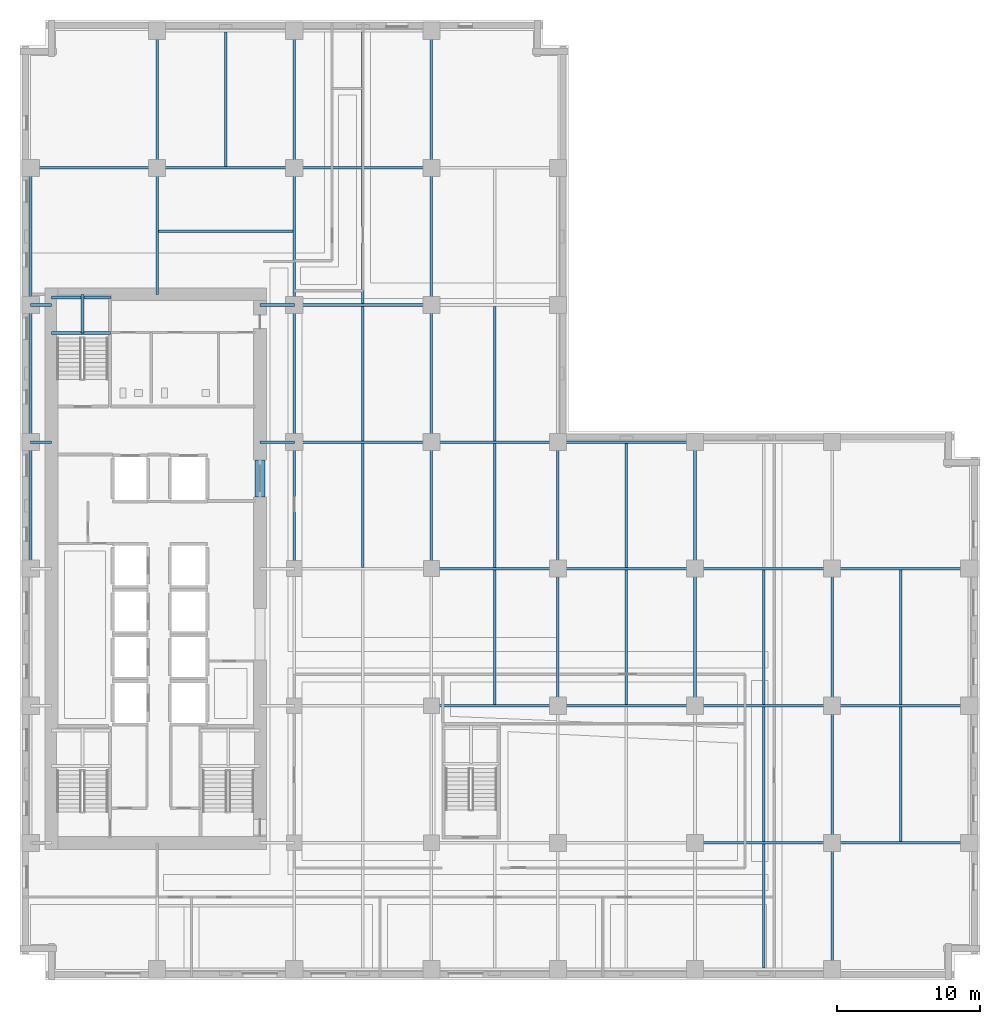
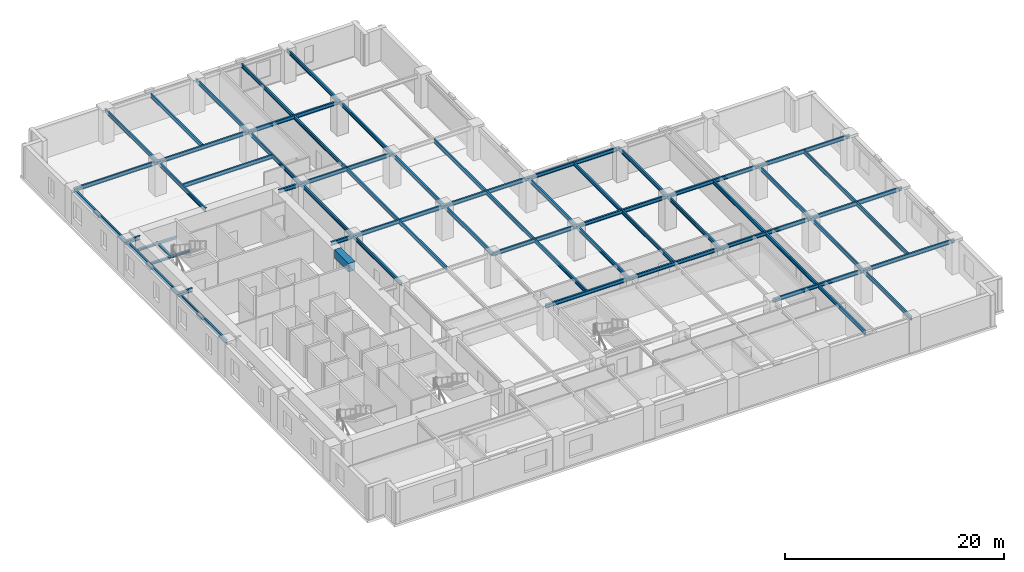
# One storey, part 2 of 13: 61 beams.
"""IFC4 building model written with IfcOpenShell, lengths in metres."""

from ifc_helpers import new_model, si_unit, direction, frame, origin, origin_2d, place, context, subcontext, project, spatial, rectangle, i_section, extrude, material, material_profile, profile_set, type_object, element, save


model = new_model("IFC4")

# Units and contexts
model_context = context("Model", 3, precision=1e-05, world=origin(), true_north=direction((0.0, 1.0)))
body_context = subcontext(model_context, "Body", "Model", "MODEL_VIEW")
ifc_project = project(units=[si_unit("LENGTHUNIT", "METRE"), si_unit("AREAUNIT", "SQUARE_METRE"), si_unit("VOLUMEUNIT", "CUBIC_METRE"), si_unit("PLANEANGLEUNIT", "RADIAN"), si_unit("MASSUNIT", "GRAM", prefix="KILO")], contexts=[model_context])

# Site, building, storey
site_placement = place(None, origin())
site = spatial("IfcSite", under=ifc_project, at=site_placement, CompositionType="ELEMENT")
building_placement = place(site_placement, origin())
building = spatial("IfcBuilding", under=site, at=building_placement, Name="Norrvale University Quadrangle", CompositionType="ELEMENT")
storey_placement = place(building_placement, frame((0.0, 0.0, 39.39990234375)))
storey = spatial("IfcBuildingStorey", under=building, at=storey_placement, Name="L09", CompositionType="ELEMENT", Elevation=39.39990234375)

# Beams
ifc_material_1 = material(Name="Steel 350W", Category="steel")
ifc_material_profile_1 = material_profile(ifc_material_1, i_section(OverallWidth=0.180908203125, OverallDepth=0.4169921875, WebThickness=0.010986328125, FlangeThickness=0.018310546875, FilletRadius=0.011962890625, at=origin_2d()), Name="Steel 350W")
ifc_profile_set_1 = profile_set([ifc_material_profile_1], Name="Steel 350W")
beam_type_1 = type_object("IfcBeamType", Name="Beam Atrium W410x85", PredefinedType="BEAM", material=ifc_profile_set_1)
beam_1_placement = place(storey_placement, frame((47.25, 9.60009765625, 3.33154296875), z_axis=(1.0, 0.0, 0.0), x_axis=(0.0, 1.0, 0.0)))
element("IfcBeam", 1, at=beam_1_placement, inside=storey, type_object=beam_type_1, Name="Beam Atrium W410x85 BM-L09-GX009", PredefinedType="BEAM", context=body_context, shape_type="SweptSolid", body=[
    extrude(i_section(OverallWidth=0.180908203125, OverallDepth=0.4169921875, WebThickness=0.010986328125, FlangeThickness=0.018310546875, FilletRadius=0.011962890625, at=origin_2d()), origin(), (0.0, 0.0, 1.0), 9.60009765625),
])
beam_2_placement = place(storey_placement, frame((56.85009765625, 9.60009765625, 3.33154296875), z_axis=(1.0, 0.0, 0.0), x_axis=(0.0, 1.0, 0.0)))
element("IfcBeam", 2, at=beam_2_placement, inside=storey, type_object=beam_type_1, Name="Beam Atrium W410x85 BM-L09-GX010", PredefinedType="BEAM", context=body_context, shape_type="SweptSolid", body=[
    extrude(i_section(OverallWidth=0.180908203125, OverallDepth=0.4169921875, WebThickness=0.010986328125, FlangeThickness=0.018310546875, FilletRadius=0.011962890625, at=origin_2d()), origin(), (0.0, 0.0, 1.0), 9.599853515625),
])
beam_3_placement = place(storey_placement, frame((28.800048828125, 19.199951171875, 3.33154296875), z_axis=(1.0, 0.0, 0.0), x_axis=(0.0, 1.0, 0.0)))
element("IfcBeam", 3, at=beam_3_placement, inside=storey, type_object=beam_type_1, Name="Beam Atrium W410x85 BM-L09-GX012", PredefinedType="BEAM", context=body_context, shape_type="SweptSolid", body=[
    extrude(i_section(OverallWidth=0.180908203125, OverallDepth=0.4169921875, WebThickness=0.010986328125, FlangeThickness=0.018310546875, FilletRadius=0.011962890625, at=origin_2d()), origin(), (0.0, 0.0, 1.0), 8.849853515625),
])
for number, where, z_axis, x_axis, name in (
    (4, (37.64990234375, 19.199951171875, 3.33154296875), (1.0, 0.0, 0.0), (0.0, 1.0, 0.0), "Beam Atrium W410x85 BM-L09-GX013"),
    (5, (47.25, 19.199951171875, 3.33154296875), (1.0, 0.0, 0.0), (0.0, 1.0, 0.0), "Beam Atrium W410x85 BM-L09-GX014"),
):
    element("IfcBeam", number, at=place(storey_placement, frame(where, z_axis=z_axis, x_axis=x_axis)), inside=storey, type_object=beam_type_1, Name=name, PredefinedType="BEAM", context=body_context, shape_type="SweptSolid", body=[
        extrude(i_section(OverallWidth=0.180908203125, OverallDepth=0.4169921875, WebThickness=0.010986328125, FlangeThickness=0.018310546875, FilletRadius=0.011962890625, at=origin_2d()), origin(), (0.0, 0.0, 1.0), 9.60009765625),
    ])
beam_4_placement = place(storey_placement, frame((56.85009765625, 19.199951171875, 3.33154296875), z_axis=(1.0, 0.0, 0.0), x_axis=(0.0, 1.0, 0.0)))
element("IfcBeam", 6, at=beam_4_placement, inside=storey, type_object=beam_type_1, Name="Beam Atrium W410x85 BM-L09-GX015", PredefinedType="BEAM", context=body_context, shape_type="SweptSolid", body=[
    extrude(i_section(OverallWidth=0.180908203125, OverallDepth=0.4169921875, WebThickness=0.010986328125, FlangeThickness=0.018310546875, FilletRadius=0.011962890625, at=origin_2d()), origin(), (0.0, 0.0, 1.0), 9.599853515625),
])
beam_5_placement = place(storey_placement, frame((28.800048828125, 28.800048828125, 3.33154296875), z_axis=(1.0, 0.0, 0.0), x_axis=(0.0, 1.0, 0.0)))
element("IfcBeam", 7, at=beam_5_placement, inside=storey, type_object=beam_type_1, Name="Beam Atrium W410x85 BM-L09-GX017", PredefinedType="BEAM", context=body_context, shape_type="SweptSolid", body=[
    extrude(i_section(OverallWidth=0.180908203125, OverallDepth=0.4169921875, WebThickness=0.010986328125, FlangeThickness=0.018310546875, FilletRadius=0.011962890625, at=origin_2d()), origin(), (0.0, 0.0, 1.0), 8.849853515625),
])
for number, where, z_axis, x_axis, name in (
    (8, (37.64990234375, 28.800048828125, 3.33154296875), (1.0, 0.0, 0.0), (0.0, 1.0, 0.0), "Beam Atrium W410x85 BM-L09-GX018"),
    (9, (47.25, 28.800048828125, 3.33154296875), (1.0, 0.0, 0.0), (0.0, 1.0, 0.0), "Beam Atrium W410x85 BM-L09-GX019"),
):
    element("IfcBeam", number, at=place(storey_placement, frame(where, z_axis=z_axis, x_axis=x_axis)), inside=storey, type_object=beam_type_1, Name=name, PredefinedType="BEAM", context=body_context, shape_type="SweptSolid", body=[
        extrude(i_section(OverallWidth=0.180908203125, OverallDepth=0.4169921875, WebThickness=0.010986328125, FlangeThickness=0.018310546875, FilletRadius=0.011962890625, at=origin_2d()), origin(), (0.0, 0.0, 1.0), 9.60009765625),
    ])
beam_6_placement = place(storey_placement, frame((56.85009765625, 28.800048828125, 3.33154296875), z_axis=(1.0, 0.0, 0.0), x_axis=(0.0, 1.0, 0.0)))
element("IfcBeam", 10, at=beam_6_placement, inside=storey, type_object=beam_type_1, Name="Beam Atrium W410x85 BM-L09-GX020", PredefinedType="BEAM", context=body_context, shape_type="SweptSolid", body=[
    extrude(i_section(OverallWidth=0.180908203125, OverallDepth=0.4169921875, WebThickness=0.010986328125, FlangeThickness=0.018310546875, FilletRadius=0.011962890625, at=origin_2d()), origin(), (0.0, 0.0, 1.0), 9.599853515625),
])
beam_7_placement = place(storey_placement, frame((19.199951171875, 37.64990234375, 3.33154296875), z_axis=(1.0, 0.0, 0.0), x_axis=(0.0, 1.0, 0.0)))
element("IfcBeam", 11, at=beam_7_placement, inside=storey, type_object=beam_type_1, Name="Beam Atrium W410x85 BM-L09-GX021", PredefinedType="BEAM", context=body_context, shape_type="SweptSolid", body=[
    extrude(i_section(OverallWidth=0.180908203125, OverallDepth=0.4169921875, WebThickness=0.010986328125, FlangeThickness=0.018310546875, FilletRadius=0.011962890625, at=origin_2d()), origin(), (0.0, 0.0, 1.0), 9.60009765625),
])
beam_8_placement = place(storey_placement, frame((28.800048828125, 37.64990234375, 3.33154296875), z_axis=(1.0, 0.0, 0.0), x_axis=(0.0, 1.0, 0.0)))
element("IfcBeam", 12, at=beam_8_placement, inside=storey, type_object=beam_type_1, Name="Beam Atrium W410x85 BM-L09-GX022", PredefinedType="BEAM", context=body_context, shape_type="SweptSolid", body=[
    extrude(i_section(OverallWidth=0.180908203125, OverallDepth=0.4169921875, WebThickness=0.010986328125, FlangeThickness=0.018310546875, FilletRadius=0.011962890625, at=origin_2d()), origin(), (0.0, 0.0, 1.0), 8.849853515625),
])
for number, where, z_axis, x_axis, name in (
    (13, (37.64990234375, 37.64990234375, 3.33154296875), (1.0, 0.0, 0.0), (0.0, 1.0, 0.0), "Beam Atrium W410x85 BM-L09-GX023"),
    (14, (19.199951171875, 47.25, 3.33154296875), (1.0, 0.0, 0.0), (0.0, 1.0, 0.0), "Beam Atrium W410x85 BM-L09-GX025"),
):
    element("IfcBeam", number, at=place(storey_placement, frame(where, z_axis=z_axis, x_axis=x_axis)), inside=storey, type_object=beam_type_1, Name=name, PredefinedType="BEAM", context=body_context, shape_type="SweptSolid", body=[
        extrude(i_section(OverallWidth=0.180908203125, OverallDepth=0.4169921875, WebThickness=0.010986328125, FlangeThickness=0.018310546875, FilletRadius=0.011962890625, at=origin_2d()), origin(), (0.0, 0.0, 1.0), 9.60009765625),
    ])
beam_9_placement = place(storey_placement, frame((0.75, 56.85009765625, 3.33154296875), z_axis=(1.0, 0.0, 0.0), x_axis=(0.0, 1.0, 0.0)))
element("IfcBeam", 15, at=beam_9_placement, inside=storey, type_object=beam_type_1, Name="Beam Atrium W410x85 BM-L09-GX027", PredefinedType="BEAM", context=body_context, shape_type="SweptSolid", body=[
    extrude(i_section(OverallWidth=0.180908203125, OverallDepth=0.4169921875, WebThickness=0.010986328125, FlangeThickness=0.018310546875, FilletRadius=0.011962890625, at=origin_2d()), origin(), (0.0, 0.0, 1.0), 8.85009765625),
])
beam_10_placement = place(storey_placement, frame((9.60009765625, 56.85009765625, 3.33154296875), z_axis=(1.0, 0.0, 0.0), x_axis=(0.0, 1.0, 0.0)))
element("IfcBeam", 16, at=beam_10_placement, inside=storey, type_object=beam_type_1, Name="Beam Atrium W410x85 BM-L09-GX028", PredefinedType="BEAM", context=body_context, shape_type="SweptSolid", body=[
    extrude(i_section(OverallWidth=0.180908203125, OverallDepth=0.4169921875, WebThickness=0.010986328125, FlangeThickness=0.018310546875, FilletRadius=0.011962890625, at=origin_2d()), origin(), (0.0, 0.0, 1.0), 9.599853515625),
])
beam_11_placement = place(storey_placement, frame((19.199951171875, 56.85009765625, 3.33154296875), z_axis=(1.0, 0.0, 0.0), x_axis=(0.0, 1.0, 0.0)))
element("IfcBeam", 17, at=beam_11_placement, inside=storey, type_object=beam_type_1, Name="Beam Atrium W410x85 BM-L09-GX029", PredefinedType="BEAM", context=body_context, shape_type="SweptSolid", body=[
    extrude(i_section(OverallWidth=0.180908203125, OverallDepth=0.4169921875, WebThickness=0.010986328125, FlangeThickness=0.018310546875, FilletRadius=0.011962890625, at=origin_2d()), origin(), (0.0, 0.0, 1.0), 9.60009765625),
])
beam_12_placement = place(storey_placement, frame((0.75, 28.800048828125, 3.33154296875), z_axis=(0.0, 1.0, 0.0), x_axis=(-1.0, 0.0, 0.0)))
element("IfcBeam", 18, at=beam_12_placement, inside=storey, type_object=beam_type_1, Name="Beam Atrium W410x85 BM-L09-GY035", PredefinedType="BEAM", context=body_context, shape_type="SweptSolid", body=[
    extrude(i_section(OverallWidth=0.180908203125, OverallDepth=0.4169921875, WebThickness=0.010986328125, FlangeThickness=0.018310546875, FilletRadius=0.011962890625, at=origin_2d()), origin(), (0.0, 0.0, 1.0), 8.849853515625),
])
for number, where, z_axis, x_axis, name in (
    (19, (0.75, 37.64990234375, 3.33154296875), (0.0, 1.0, 0.0), (-1.0, 0.0, 0.0), "Beam Atrium W410x85 BM-L09-GY036"),
    (20, (0.75, 47.25, 3.33154296875), (0.0, 1.0, 0.0), (-1.0, 0.0, 0.0), "Beam Atrium W410x85 BM-L09-GY037"),
):
    element("IfcBeam", number, at=place(storey_placement, frame(where, z_axis=z_axis, x_axis=x_axis)), inside=storey, type_object=beam_type_1, Name=name, PredefinedType="BEAM", context=body_context, shape_type="SweptSolid", body=[
        extrude(i_section(OverallWidth=0.180908203125, OverallDepth=0.4169921875, WebThickness=0.010986328125, FlangeThickness=0.018310546875, FilletRadius=0.011962890625, at=origin_2d()), origin(), (0.0, 0.0, 1.0), 9.60009765625),
    ])
beam_13_placement = place(storey_placement, frame((9.60009765625, 56.85009765625, 3.33154296875), z_axis=(0.0, 1.0, 0.0), x_axis=(-1.0, 0.0, 0.0)))
element("IfcBeam", 21, at=beam_13_placement, inside=storey, type_object=beam_type_1, Name="Beam Atrium W410x85 BM-L09-GY038", PredefinedType="BEAM", context=body_context, shape_type="SweptSolid", body=[
    extrude(i_section(OverallWidth=0.180908203125, OverallDepth=0.4169921875, WebThickness=0.010986328125, FlangeThickness=0.018310546875, FilletRadius=0.011962890625, at=origin_2d()), origin(), (0.0, 0.0, 1.0), 9.599853515625),
])
beam_14_placement = place(storey_placement, frame((19.199951171875, 28.800048828125, 3.33154296875), z_axis=(0.0, 1.0, 0.0), x_axis=(-1.0, 0.0, 0.0)))
element("IfcBeam", 22, at=beam_14_placement, inside=storey, type_object=beam_type_1, Name="Beam Atrium W410x85 BM-L09-GY042", PredefinedType="BEAM", context=body_context, shape_type="SweptSolid", body=[
    extrude(i_section(OverallWidth=0.180908203125, OverallDepth=0.4169921875, WebThickness=0.010986328125, FlangeThickness=0.018310546875, FilletRadius=0.011962890625, at=origin_2d()), origin(), (0.0, 0.0, 1.0), 8.849853515625),
])
for number, where, z_axis, x_axis, name in (
    (23, (19.199951171875, 37.64990234375, 3.33154296875), (0.0, 1.0, 0.0), (-1.0, 0.0, 0.0), "Beam Atrium W410x85 BM-L09-GY043"),
    (24, (19.199951171875, 47.25, 3.33154296875), (0.0, 1.0, 0.0), (-1.0, 0.0, 0.0), "Beam Atrium W410x85 BM-L09-GY044"),
):
    element("IfcBeam", number, at=place(storey_placement, frame(where, z_axis=z_axis, x_axis=x_axis)), inside=storey, type_object=beam_type_1, Name=name, PredefinedType="BEAM", context=body_context, shape_type="SweptSolid", body=[
        extrude(i_section(OverallWidth=0.180908203125, OverallDepth=0.4169921875, WebThickness=0.010986328125, FlangeThickness=0.018310546875, FilletRadius=0.011962890625, at=origin_2d()), origin(), (0.0, 0.0, 1.0), 9.60009765625),
    ])
beam_15_placement = place(storey_placement, frame((19.199951171875, 56.85009765625, 3.33154296875), z_axis=(0.0, 1.0, 0.0), x_axis=(-1.0, 0.0, 0.0)))
element("IfcBeam", 25, at=beam_15_placement, inside=storey, type_object=beam_type_1, Name="Beam Atrium W410x85 BM-L09-GY045", PredefinedType="BEAM", context=body_context, shape_type="SweptSolid", body=[
    extrude(i_section(OverallWidth=0.180908203125, OverallDepth=0.4169921875, WebThickness=0.010986328125, FlangeThickness=0.018310546875, FilletRadius=0.011962890625, at=origin_2d()), origin(), (0.0, 0.0, 1.0), 9.599853515625),
])
beam_16_placement = place(storey_placement, frame((28.800048828125, 28.800048828125, 3.33154296875), z_axis=(0.0, 1.0, 0.0), x_axis=(-1.0, 0.0, 0.0)))
element("IfcBeam", 26, at=beam_16_placement, inside=storey, type_object=beam_type_1, Name="Beam Atrium W410x85 BM-L09-GY049", PredefinedType="BEAM", context=body_context, shape_type="SweptSolid", body=[
    extrude(i_section(OverallWidth=0.180908203125, OverallDepth=0.4169921875, WebThickness=0.010986328125, FlangeThickness=0.018310546875, FilletRadius=0.011962890625, at=origin_2d()), origin(), (0.0, 0.0, 1.0), 8.849853515625),
])
for number, where, z_axis, x_axis, name in (
    (27, (28.800048828125, 37.64990234375, 3.33154296875), (0.0, 1.0, 0.0), (-1.0, 0.0, 0.0), "Beam Atrium W410x85 BM-L09-GY050"),
    (28, (28.800048828125, 47.25, 3.33154296875), (0.0, 1.0, 0.0), (-1.0, 0.0, 0.0), "Beam Atrium W410x85 BM-L09-GY051"),
):
    element("IfcBeam", number, at=place(storey_placement, frame(where, z_axis=z_axis, x_axis=x_axis)), inside=storey, type_object=beam_type_1, Name=name, PredefinedType="BEAM", context=body_context, shape_type="SweptSolid", body=[
        extrude(i_section(OverallWidth=0.180908203125, OverallDepth=0.4169921875, WebThickness=0.010986328125, FlangeThickness=0.018310546875, FilletRadius=0.011962890625, at=origin_2d()), origin(), (0.0, 0.0, 1.0), 9.60009765625),
    ])
beam_17_placement = place(storey_placement, frame((28.800048828125, 56.85009765625, 3.33154296875), z_axis=(0.0, 1.0, 0.0), x_axis=(-1.0, 0.0, 0.0)))
element("IfcBeam", 29, at=beam_17_placement, inside=storey, type_object=beam_type_1, Name="Beam Atrium W410x85 BM-L09-GY052", PredefinedType="BEAM", context=body_context, shape_type="SweptSolid", body=[
    extrude(i_section(OverallWidth=0.180908203125, OverallDepth=0.4169921875, WebThickness=0.010986328125, FlangeThickness=0.018310546875, FilletRadius=0.011962890625, at=origin_2d()), origin(), (0.0, 0.0, 1.0), 9.599853515625),
])
beam_18_placement = place(storey_placement, frame((37.64990234375, 19.199951171875, 3.33154296875), z_axis=(0.0, 1.0, 0.0), x_axis=(-1.0, 0.0, 0.0)))
element("IfcBeam", 30, at=beam_18_placement, inside=storey, type_object=beam_type_1, Name="Beam Atrium W410x85 BM-L09-GY055", PredefinedType="BEAM", context=body_context, shape_type="SweptSolid", body=[
    extrude(i_section(OverallWidth=0.180908203125, OverallDepth=0.4169921875, WebThickness=0.010986328125, FlangeThickness=0.018310546875, FilletRadius=0.011962890625, at=origin_2d()), origin(), (0.0, 0.0, 1.0), 9.60009765625),
])
beam_19_placement = place(storey_placement, frame((37.64990234375, 28.800048828125, 3.33154296875), z_axis=(0.0, 1.0, 0.0), x_axis=(-1.0, 0.0, 0.0)))
element("IfcBeam", 31, at=beam_19_placement, inside=storey, type_object=beam_type_1, Name="Beam Atrium W410x85 BM-L09-GY056", PredefinedType="BEAM", context=body_context, shape_type="SweptSolid", body=[
    extrude(i_section(OverallWidth=0.180908203125, OverallDepth=0.4169921875, WebThickness=0.010986328125, FlangeThickness=0.018310546875, FilletRadius=0.011962890625, at=origin_2d()), origin(), (0.0, 0.0, 1.0), 8.849853515625),
])
beam_20_placement = place(storey_placement, frame((47.25, 19.199951171875, 3.33154296875), z_axis=(0.0, 1.0, 0.0), x_axis=(-1.0, 0.0, 0.0)))
element("IfcBeam", 32, at=beam_20_placement, inside=storey, type_object=beam_type_1, Name="Beam Atrium W410x85 BM-L09-GY061", PredefinedType="BEAM", context=body_context, shape_type="SweptSolid", body=[
    extrude(i_section(OverallWidth=0.180908203125, OverallDepth=0.4169921875, WebThickness=0.010986328125, FlangeThickness=0.018310546875, FilletRadius=0.011962890625, at=origin_2d()), origin(), (0.0, 0.0, 1.0), 9.60009765625),
])
beam_21_placement = place(storey_placement, frame((47.25, 28.800048828125, 3.33154296875), z_axis=(0.0, 1.0, 0.0), x_axis=(-1.0, 0.0, 0.0)))
element("IfcBeam", 33, at=beam_21_placement, inside=storey, type_object=beam_type_1, Name="Beam Atrium W410x85 BM-L09-GY062", PredefinedType="BEAM", context=body_context, shape_type="SweptSolid", body=[
    extrude(i_section(OverallWidth=0.180908203125, OverallDepth=0.4169921875, WebThickness=0.010986328125, FlangeThickness=0.018310546875, FilletRadius=0.011962890625, at=origin_2d()), origin(), (0.0, 0.0, 1.0), 8.849853515625),
])
beam_22_placement = place(storey_placement, frame((56.85009765625, 0.75, 3.33154296875), z_axis=(0.0, 1.0, 0.0), x_axis=(-1.0, 0.0, 0.0)))
element("IfcBeam", 34, at=beam_22_placement, inside=storey, type_object=beam_type_1, Name="Beam Atrium W410x85 BM-L09-GY063", PredefinedType="BEAM", context=body_context, shape_type="SweptSolid", body=[
    extrude(i_section(OverallWidth=0.180908203125, OverallDepth=0.4169921875, WebThickness=0.010986328125, FlangeThickness=0.018310546875, FilletRadius=0.011962890625, at=origin_2d()), origin(), (0.0, 0.0, 1.0), 8.85009765625),
])
beam_23_placement = place(storey_placement, frame((56.85009765625, 9.60009765625, 3.33154296875), z_axis=(0.0, 1.0, 0.0), x_axis=(-1.0, 0.0, 0.0)))
element("IfcBeam", 35, at=beam_23_placement, inside=storey, type_object=beam_type_1, Name="Beam Atrium W410x85 BM-L09-GY064", PredefinedType="BEAM", context=body_context, shape_type="SweptSolid", body=[
    extrude(i_section(OverallWidth=0.180908203125, OverallDepth=0.4169921875, WebThickness=0.010986328125, FlangeThickness=0.018310546875, FilletRadius=0.011962890625, at=origin_2d()), origin(), (0.0, 0.0, 1.0), 9.599853515625),
])
beam_24_placement = place(storey_placement, frame((56.85009765625, 19.199951171875, 3.33154296875), z_axis=(0.0, 1.0, 0.0), x_axis=(-1.0, 0.0, 0.0)))
element("IfcBeam", 36, at=beam_24_placement, inside=storey, type_object=beam_type_1, Name="Beam Atrium W410x85 BM-L09-GY065", PredefinedType="BEAM", context=body_context, shape_type="SweptSolid", body=[
    extrude(i_section(OverallWidth=0.180908203125, OverallDepth=0.4169921875, WebThickness=0.010986328125, FlangeThickness=0.018310546875, FilletRadius=0.011962890625, at=origin_2d()), origin(), (0.0, 0.0, 1.0), 9.60009765625),
])
beam_25_placement = place(storey_placement, frame((0.75, 37.64990234375, 3.33154296875), z_axis=(1.0, 0.0, 0.0), x_axis=(0.0, 1.0, 0.0)))
element("IfcBeam", 37, at=beam_25_placement, inside=storey, type_object=beam_type_1, Name="Beam Atrium W410x85 BM-L09-GCW075", PredefinedType="BEAM", context=body_context, shape_type="SweptSolid", body=[
    extrude(i_section(OverallWidth=0.180908203125, OverallDepth=0.4169921875, WebThickness=0.010986328125, FlangeThickness=0.018310546875, FilletRadius=0.011962890625, at=origin_2d()), origin(), (0.0, 0.0, 1.0), 1.449951171875),
])
beam_26_placement = place(storey_placement, frame((16.800048828125, 37.64990234375, 3.33154296875), z_axis=(1.0, 0.0, 0.0), x_axis=(0.0, 1.0, 0.0)))
element("IfcBeam", 38, at=beam_26_placement, inside=storey, type_object=beam_type_1, Name="Beam Atrium W410x85 BM-L09-GCE076", PredefinedType="BEAM", context=body_context, shape_type="SweptSolid", body=[
    extrude(i_section(OverallWidth=0.180908203125, OverallDepth=0.4169921875, WebThickness=0.010986328125, FlangeThickness=0.018310546875, FilletRadius=0.011962890625, at=origin_2d()), origin(), (0.0, 0.0, 1.0), 2.39990234375),
])
beam_27_placement = place(storey_placement, frame((0.75, 47.25, 3.33154296875), z_axis=(1.0, 0.0, 0.0), x_axis=(0.0, 1.0, 0.0)))
element("IfcBeam", 39, at=beam_27_placement, inside=storey, type_object=beam_type_1, Name="Beam Atrium W410x85 BM-L09-GCW077", PredefinedType="BEAM", context=body_context, shape_type="SweptSolid", body=[
    extrude(i_section(OverallWidth=0.180908203125, OverallDepth=0.4169921875, WebThickness=0.010986328125, FlangeThickness=0.018310546875, FilletRadius=0.011962890625, at=origin_2d()), origin(), (0.0, 0.0, 1.0), 1.449951171875),
])
beam_28_placement = place(storey_placement, frame((16.800048828125, 47.25, 3.33154296875), z_axis=(1.0, 0.0, 0.0), x_axis=(0.0, 1.0, 0.0)))
element("IfcBeam", 40, at=beam_28_placement, inside=storey, type_object=beam_type_1, Name="Beam Atrium W410x85 BM-L09-GCE078", PredefinedType="BEAM", context=body_context, shape_type="SweptSolid", body=[
    extrude(i_section(OverallWidth=0.180908203125, OverallDepth=0.4169921875, WebThickness=0.010986328125, FlangeThickness=0.018310546875, FilletRadius=0.011962890625, at=origin_2d()), origin(), (0.0, 0.0, 1.0), 2.39990234375),
])
beam_29_placement = place(storey_placement, frame((9.60009765625, 48.0, 3.33154296875), z_axis=(0.0, 1.0, 0.0), x_axis=(-1.0, 0.0, 0.0)))
element("IfcBeam", 41, at=beam_29_placement, inside=storey, type_object=beam_type_1, Name="Beam Atrium W410x85 BM-L09-GCN104", PredefinedType="BEAM", context=body_context, shape_type="SweptSolid", body=[
    extrude(i_section(OverallWidth=0.180908203125, OverallDepth=0.4169921875, WebThickness=0.010986328125, FlangeThickness=0.018310546875, FilletRadius=0.011962890625, at=origin_2d()), origin(), (0.0, 0.0, 1.0), 8.85009765625),
])
ifc_material_2 = material(Name="Concrete C80/95", Category="concrete")
ifc_material_profile_2 = material_profile(ifc_material_2, rectangle(XDim=0.699951171875, YDim=0.949951171875, at=origin_2d()), Name="Concrete C80/95")
ifc_profile_set_2 = profile_set([ifc_material_profile_2], Name="Concrete C80/95")
beam_type_2 = type_object("IfcBeamType", Name="Beam Core Link 700x950", PredefinedType="LINTEL", material=ifc_profile_set_2)
beam_30_placement = place(storey_placement, frame((16.800048828125, 33.800048828125, 3.065185546875), z_axis=(0.0, 1.0, 0.0), x_axis=(-1.0, 0.0, 0.0)))
element("IfcBeam", 42, at=beam_30_placement, inside=storey, type_object=beam_type_2, Name="Core Coupling Lintel Beam L09-2", PredefinedType="LINTEL", context=body_context, shape_type="SweptSolid", body=[
    extrude(rectangle(XDim=0.699951171875, YDim=0.949951171875, at=origin_2d()), origin(), (0.0, 0.0, 1.0), 2.599853515625),
])
ifc_material_profile_3 = material_profile(ifc_material_1, i_section(OverallWidth=0.177978515625, OverallDepth=0.406982421875, WebThickness=0.0078125, FlangeThickness=0.0126953125, FilletRadius=0.011962890625, at=origin_2d()), Name="Steel 350W")
ifc_profile_set_3 = profile_set([ifc_material_profile_3], Name="Steel 350W")
beam_type_3 = type_object("IfcBeamType", Name="Beam Roof Purlin W410x60", PredefinedType="USERDEFINED", material=ifc_profile_set_3)
beam_31_placement = place(storey_placement, frame((14.39990234375, 56.9404296875, 3.336669921875), z_axis=(0.0, 1.0, 0.0), x_axis=(-1.0, 0.0, 0.0)))
element("IfcBeam", 43, at=beam_31_placement, inside=storey, type_object=beam_type_3, Name="Beam Roof Purlin W410x60 BM-L09-J079", ObjectType="PURLIN", PredefinedType="USERDEFINED", context=body_context, shape_type="SweptSolid", body=[
    extrude(i_section(OverallWidth=0.177978515625, OverallDepth=0.406982421875, WebThickness=0.0078125, FlangeThickness=0.0126953125, FilletRadius=0.011962890625, at=origin_2d()), origin(), (0.0, 0.0, 1.0), 9.419189453125),
])
beam_32_placement = place(storey_placement, frame((24.0, 28.890380859375, 3.336669921875), z_axis=(0.0, 1.0, 0.0), x_axis=(-1.0, 0.0, 0.0)))
element("IfcBeam", 44, at=beam_32_placement, inside=storey, type_object=beam_type_3, Name="Beam Roof Purlin W410x60 BM-L09-J083", ObjectType="PURLIN", PredefinedType="USERDEFINED", context=body_context, shape_type="SweptSolid", body=[
    extrude(i_section(OverallWidth=0.177978515625, OverallDepth=0.406982421875, WebThickness=0.0078125, FlangeThickness=0.0126953125, FilletRadius=0.011962890625, at=origin_2d()), origin(), (0.0, 0.0, 1.0), 8.669189453125),
])
for number, where, z_axis, x_axis, name in (
    (45, (24.0, 37.740478515625, 3.336669921875), (0.0, 1.0, 0.0), (-1.0, 0.0, 0.0), "Beam Roof Purlin W410x60 BM-L09-J084"),
    (46, (24.0, 47.340576171875, 3.336669921875), (0.0, 1.0, 0.0), (-1.0, 0.0, 0.0), "Beam Roof Purlin W410x60 BM-L09-J085"),
):
    element("IfcBeam", number, at=place(storey_placement, frame(where, z_axis=z_axis, x_axis=x_axis)), inside=storey, type_object=beam_type_3, Name=name, ObjectType="PURLIN", PredefinedType="USERDEFINED", context=body_context, shape_type="SweptSolid", body=[
        extrude(i_section(OverallWidth=0.177978515625, OverallDepth=0.406982421875, WebThickness=0.0078125, FlangeThickness=0.0126953125, FilletRadius=0.011962890625, at=origin_2d()), origin(), (0.0, 0.0, 1.0), 9.4189453125),
    ])
beam_33_placement = place(storey_placement, frame((24.0, 56.9404296875, 3.336669921875), z_axis=(0.0, 1.0, 0.0), x_axis=(-1.0, 0.0, 0.0)))
element("IfcBeam", 47, at=beam_33_placement, inside=storey, type_object=beam_type_3, Name="Beam Roof Purlin W410x60 BM-L09-J086", ObjectType="PURLIN", PredefinedType="USERDEFINED", context=body_context, shape_type="SweptSolid", body=[
    extrude(i_section(OverallWidth=0.177978515625, OverallDepth=0.406982421875, WebThickness=0.0078125, FlangeThickness=0.0126953125, FilletRadius=0.011962890625, at=origin_2d()), origin(), (0.0, 0.0, 1.0), 9.419189453125),
])
beam_34_placement = place(storey_placement, frame((33.22509765625, 19.29052734375, 3.336669921875), z_axis=(0.0, 1.0, 0.0), x_axis=(-1.0, 0.0, 0.0)))
element("IfcBeam", 48, at=beam_34_placement, inside=storey, type_object=beam_type_3, Name="Beam Roof Purlin W410x60 BM-L09-J088", ObjectType="PURLIN", PredefinedType="USERDEFINED", context=body_context, shape_type="SweptSolid", body=[
    extrude(i_section(OverallWidth=0.177978515625, OverallDepth=0.406982421875, WebThickness=0.0078125, FlangeThickness=0.0126953125, FilletRadius=0.011962890625, at=origin_2d()), origin(), (0.0, 0.0, 1.0), 9.4189453125),
])
beam_35_placement = place(storey_placement, frame((33.22509765625, 28.890380859375, 3.336669921875), z_axis=(0.0, 1.0, 0.0), x_axis=(-1.0, 0.0, 0.0)))
element("IfcBeam", 49, at=beam_35_placement, inside=storey, type_object=beam_type_3, Name="Beam Roof Purlin W410x60 BM-L09-J089", ObjectType="PURLIN", PredefinedType="USERDEFINED", context=body_context, shape_type="SweptSolid", body=[
    extrude(i_section(OverallWidth=0.177978515625, OverallDepth=0.406982421875, WebThickness=0.0078125, FlangeThickness=0.0126953125, FilletRadius=0.011962890625, at=origin_2d()), origin(), (0.0, 0.0, 1.0), 8.669189453125),
])
for number, where, z_axis, x_axis, name in (
    (50, (33.22509765625, 37.740478515625, 3.336669921875), (0.0, 1.0, 0.0), (-1.0, 0.0, 0.0), "Beam Roof Purlin W410x60 BM-L09-J090"),
    (51, (42.449951171875, 19.29052734375, 3.336669921875), (0.0, 1.0, 0.0), (-1.0, 0.0, 0.0), "Beam Roof Purlin W410x60 BM-L09-J094"),
):
    element("IfcBeam", number, at=place(storey_placement, frame(where, z_axis=z_axis, x_axis=x_axis)), inside=storey, type_object=beam_type_3, Name=name, ObjectType="PURLIN", PredefinedType="USERDEFINED", context=body_context, shape_type="SweptSolid", body=[
        extrude(i_section(OverallWidth=0.177978515625, OverallDepth=0.406982421875, WebThickness=0.0078125, FlangeThickness=0.0126953125, FilletRadius=0.011962890625, at=origin_2d()), origin(), (0.0, 0.0, 1.0), 9.4189453125),
    ])
beam_36_placement = place(storey_placement, frame((42.449951171875, 28.890380859375, 3.336669921875), z_axis=(0.0, 1.0, 0.0), x_axis=(-1.0, 0.0, 0.0)))
element("IfcBeam", 52, at=beam_36_placement, inside=storey, type_object=beam_type_3, Name="Beam Roof Purlin W410x60 BM-L09-J095", ObjectType="PURLIN", PredefinedType="USERDEFINED", context=body_context, shape_type="SweptSolid", body=[
    extrude(i_section(OverallWidth=0.177978515625, OverallDepth=0.406982421875, WebThickness=0.0078125, FlangeThickness=0.0126953125, FilletRadius=0.011962890625, at=origin_2d()), origin(), (0.0, 0.0, 1.0), 8.669189453125),
])
beam_37_placement = place(storey_placement, frame((52.050048828125, 0.840576171875, 3.336669921875), z_axis=(0.0, 1.0, 0.0), x_axis=(-1.0, 0.0, 0.0)))
element("IfcBeam", 53, at=beam_37_placement, inside=storey, type_object=beam_type_3, Name="Beam Roof Purlin W410x60 BM-L09-J096", ObjectType="PURLIN", PredefinedType="USERDEFINED", context=body_context, shape_type="SweptSolid", body=[
    extrude(i_section(OverallWidth=0.177978515625, OverallDepth=0.406982421875, WebThickness=0.0078125, FlangeThickness=0.0126953125, FilletRadius=0.011962890625, at=origin_2d()), origin(), (0.0, 0.0, 1.0), 8.6689453125),
])
beam_38_placement = place(storey_placement, frame((52.050048828125, 9.6904296875, 3.336669921875), z_axis=(0.0, 1.0, 0.0), x_axis=(-1.0, 0.0, 0.0)))
element("IfcBeam", 54, at=beam_38_placement, inside=storey, type_object=beam_type_3, Name="Beam Roof Purlin W410x60 BM-L09-J097", ObjectType="PURLIN", PredefinedType="USERDEFINED", context=body_context, shape_type="SweptSolid", body=[
    extrude(i_section(OverallWidth=0.177978515625, OverallDepth=0.406982421875, WebThickness=0.0078125, FlangeThickness=0.0126953125, FilletRadius=0.011962890625, at=origin_2d()), origin(), (0.0, 0.0, 1.0), 9.419189453125),
])
beam_39_placement = place(storey_placement, frame((52.050048828125, 19.29052734375, 3.336669921875), z_axis=(0.0, 1.0, 0.0), x_axis=(-1.0, 0.0, 0.0)))
element("IfcBeam", 55, at=beam_39_placement, inside=storey, type_object=beam_type_3, Name="Beam Roof Purlin W410x60 BM-L09-J098", ObjectType="PURLIN", PredefinedType="USERDEFINED", context=body_context, shape_type="SweptSolid", body=[
    extrude(i_section(OverallWidth=0.177978515625, OverallDepth=0.406982421875, WebThickness=0.0078125, FlangeThickness=0.0126953125, FilletRadius=0.011962890625, at=origin_2d()), origin(), (0.0, 0.0, 1.0), 9.4189453125),
])
beam_40_placement = place(storey_placement, frame((61.64990234375, 9.6904296875, 3.336669921875), z_axis=(0.0, 1.0, 0.0), x_axis=(-1.0, 0.0, 0.0)))
element("IfcBeam", 56, at=beam_40_placement, inside=storey, type_object=beam_type_3, Name="Beam Roof Purlin W410x60 BM-L09-J100", ObjectType="PURLIN", PredefinedType="USERDEFINED", context=body_context, shape_type="SweptSolid", body=[
    extrude(i_section(OverallWidth=0.177978515625, OverallDepth=0.406982421875, WebThickness=0.0078125, FlangeThickness=0.0126953125, FilletRadius=0.011962890625, at=origin_2d()), origin(), (0.0, 0.0, 1.0), 9.419189453125),
])
beam_41_placement = place(storey_placement, frame((61.64990234375, 19.29052734375, 3.336669921875), z_axis=(0.0, 1.0, 0.0), x_axis=(-1.0, 0.0, 0.0)))
element("IfcBeam", 57, at=beam_41_placement, inside=storey, type_object=beam_type_3, Name="Beam Roof Purlin W410x60 BM-L09-J101", ObjectType="PURLIN", PredefinedType="USERDEFINED", context=body_context, shape_type="SweptSolid", body=[
    extrude(i_section(OverallWidth=0.177978515625, OverallDepth=0.406982421875, WebThickness=0.0078125, FlangeThickness=0.0126953125, FilletRadius=0.011962890625, at=origin_2d()), origin(), (0.0, 0.0, 1.0), 9.4189453125),
])
beam_42_placement = place(storey_placement, frame((9.6904296875, 52.39990234375, 3.336669921875), z_axis=(1.0, 0.0, 0.0), x_axis=(0.0, 1.0, 0.0)))
element("IfcBeam", 58, at=beam_42_placement, inside=storey, type_object=beam_type_3, Name="Beam Roof Purlin W410x60 BM-L09-JCN105", ObjectType="PURLIN", PredefinedType="USERDEFINED", context=body_context, shape_type="SweptSolid", body=[
    extrude(i_section(OverallWidth=0.177978515625, OverallDepth=0.406982421875, WebThickness=0.0078125, FlangeThickness=0.0126953125, FilletRadius=0.011962890625, at=origin_2d()), origin(), (0.0, 0.0, 1.0), 9.419189453125),
])
ifc_material_profile_4 = material_profile(ifc_material_1, i_section(OverallWidth=0.201904296875, OverallDepth=0.2470703125, WebThickness=0.00732421875, FlangeThickness=0.010986328125, FilletRadius=0.011962890625, at=origin_2d()), Name="Steel 350W")
ifc_profile_set_4 = profile_set([ifc_material_profile_4], Name="Steel 350W")
beam_type_4 = type_object("IfcBeamType", Name="Beam Stair W250x49", PredefinedType="BEAM", material=ifc_profile_set_4)
for number, where, z_axis, x_axis, name in (
    (59, (2.199951171875, 45.2900390625, 1.57666015625), (1.0, 0.0, 0.0), (0.0, 1.0, 0.0), "Stair Mid-Landing Front Beam ST-02 L09"),
    (60, (2.199951171875, 47.77001953125, 1.57666015625), (1.0, 0.0, 0.0), (0.0, 1.0, 0.0), "Stair Mid-Landing Rear Beam ST-02 L09"),
):
    element("IfcBeam", number, at=place(storey_placement, frame(where, z_axis=z_axis, x_axis=x_axis)), inside=storey, type_object=beam_type_4, Name=name, PredefinedType="BEAM", context=body_context, shape_type="SweptSolid", body=[
        extrude(i_section(OverallWidth=0.201904296875, OverallDepth=0.2470703125, WebThickness=0.00732421875, FlangeThickness=0.010986328125, FilletRadius=0.011962890625, at=origin_2d()), origin(), (0.0, 0.0, 1.0), 4.14013671875),
    ])
ifc_material_profile_5 = material_profile(ifc_material_1, i_section(OverallWidth=0.202880859375, OverallDepth=0.202880859375, WebThickness=0.007080078125, FlangeThickness=0.010986328125, FilletRadius=0.010009765625, at=origin_2d()), Name="Steel 350W")
ifc_profile_set_5 = profile_set([ifc_material_profile_5], Name="Steel 350W")
beam_type_5 = type_object("IfcBeamType", Name="Beam Trim W200x46", PredefinedType="BEAM", material=ifc_profile_set_5)
beam_43_placement = place(storey_placement, frame((4.375, 45.2900390625, 1.5986328125), z_axis=(0.0, 1.0, 0.0), x_axis=(-1.0, 0.0, 0.0)))
element("IfcBeam", 61, at=beam_43_placement, inside=storey, type_object=beam_type_5, Name="Stair Mid-Landing Cross Beam ST-02 L09", PredefinedType="BEAM", context=body_context, shape_type="SweptSolid", body=[
    extrude(i_section(OverallWidth=0.202880859375, OverallDepth=0.202880859375, WebThickness=0.007080078125, FlangeThickness=0.010986328125, FilletRadius=0.010009765625, at=origin_2d()), origin(), (0.0, 0.0, 1.0), 2.7099609375),
])

save(model, "model.ifc")
